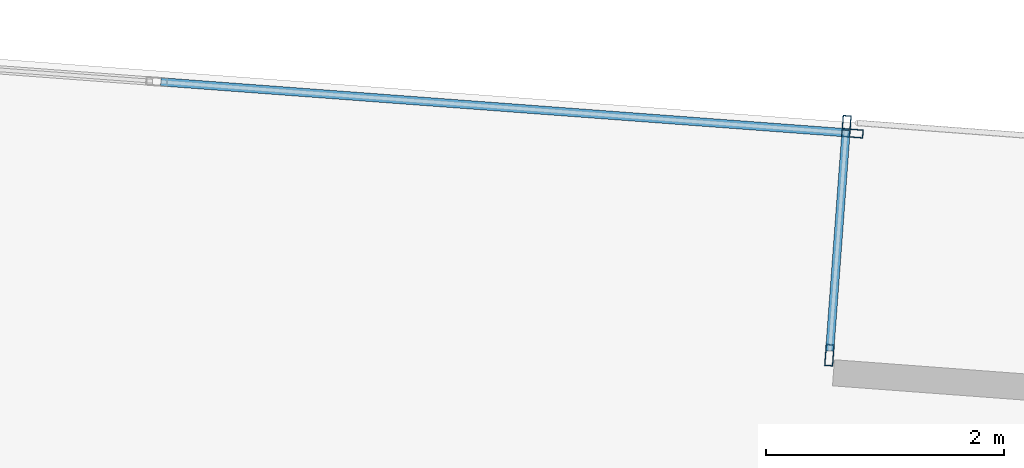
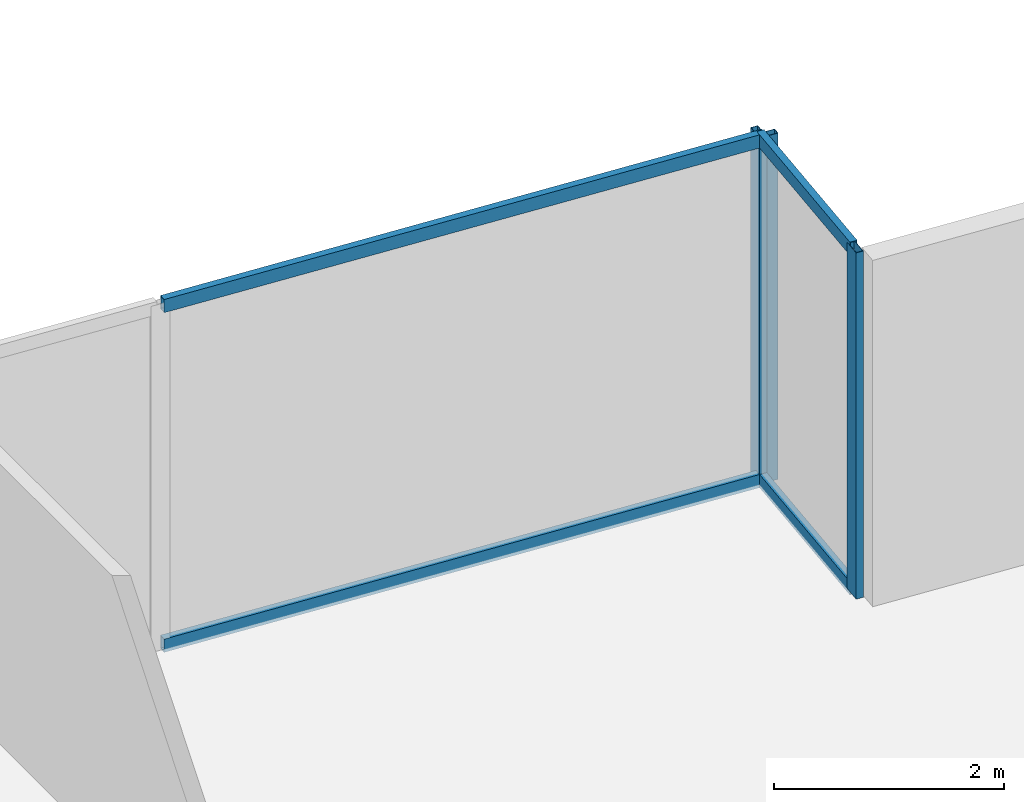
# One storey, part 20 of 30: 7 members, 2 elements without a shape of their own.
"""IFC4 building model written with IfcOpenShell, lengths in metres."""

from ifc_helpers import new_model, si_unit, direction, frame, origin, origin_2d, place, context, subcontext, project, spatial, hollow_rectangle, extrude, source, transform, mapped, material, material_profile, profile_set, type_object, type_shapes, element, aggregate, save


model = new_model("IFC4")

# Units and contexts
model_context = context("Model", 3, precision=1e-05, world=origin(), true_north=direction((0.0, 1.0)))
body_context = subcontext(model_context, "Body", "Model", "MODEL_VIEW")
ifc_project = project(units=[si_unit("LENGTHUNIT", "METRE"), si_unit("AREAUNIT", "SQUARE_METRE"), si_unit("VOLUMEUNIT", "CUBIC_METRE"), si_unit("PLANEANGLEUNIT", "RADIAN"), si_unit("MASSUNIT", "GRAM", prefix="KILO")], contexts=[model_context])

# Site, building, storey
site_placement = place(None, origin())
site = spatial("IfcSite", under=ifc_project, at=site_placement, CompositionType="ELEMENT")
building_placement = place(site_placement, origin())
building = spatial("IfcBuilding", under=site, at=building_placement, Name="Krantzveldt Concourse Tower", CompositionType="ELEMENT")
storey_placement = place(building_placement, frame((0.0, 0.0, 48.699951171875)))
storey = spatial("IfcBuildingStorey", under=building, at=storey_placement, Name="L11", CompositionType="ELEMENT", Elevation=48.699951171875)

# Curtain wall, members
ifc_material = material(Name="Anodised aluminium 6063-T6", Category="aluminium")
curtain_wall_type_1 = type_object("IfcCurtainWallType", Name="CW6", PredefinedType="USERDEFINED", material=ifc_material)
curtain_wall_1_placement = place(storey_placement, origin())
curtain_wall_1 = element("IfcCurtainWall", 1, at=curtain_wall_1_placement, inside=storey, type_object=curtain_wall_type_1, Name="CW-L11-TR13", ObjectType="UNITISED CURTAIN WALL", PredefinedType="USERDEFINED")
ifc_material_profile_1 = material_profile(ifc_material, hollow_rectangle(XDim=0.070068359375, YDim=0.179931640625, WallThickness=0.0048828125, at=origin_2d()), Name="Anodised aluminium 6063-T6", Category="aluminium")
ifc_profile_set_1 = profile_set([ifc_material_profile_1], Name="Anodised aluminium 6063-T6 - ALU-MULL 180x70x5")
member_type_1 = type_object("IfcMemberType", Name="CW-MUL-180", PredefinedType="MULLION", material=ifc_profile_set_1)
shared_shape_1 = source(origin(), body_context, "Body", "SweptSolid", [
    extrude(hollow_rectangle(XDim=0.070068359375, YDim=0.179931640625, WallThickness=0.0048828125, at=origin_2d()), origin(), (0.0, 0.0, 1.0), 3.670166015625),
])
type_shapes(member_type_1, [shared_shape_1])
member_1_placement = place(storey_placement, frame((33.827880859375, 49.9599609375, 0.0), z_axis=(0.0, 0.0, 1.0), x_axis=(-0.997250072499, 0.074110005396, 0.0)))
member_1 = element("IfcMember", 2, at=member_1_placement, type_object=member_type_1, Name="CW-TERR mullion 1", PredefinedType="MULLION", context=body_context, shape_type="MappedRepresentation", body=[
    mapped(shared_shape_1, transform((0.0, 0.0, 0.0), x_axis=(1.0, 0.0, 0.0), y_axis=(0.0, 1.0, 0.0), z_axis=(0.0, 0.0, 1.0), scale=1.0)),
])
member_2_placement = place(storey_placement, frame((33.970703125, 51.884521484375, 0.0), z_axis=(0.0, 0.0, 1.0), x_axis=(-0.997250072499, 0.074110005396, 0.0)))
member_2 = element("IfcMember", 3, at=member_2_placement, type_object=member_type_1, Name="CW-TERR mullion 2", PredefinedType="MULLION", context=body_context, shape_type="MappedRepresentation", body=[
    mapped(shared_shape_1, transform((0.0, 0.0, 0.0), x_axis=(1.0, 0.0, 0.0), y_axis=(0.0, 1.0, 0.0), z_axis=(0.0, 0.0, 1.0), scale=1.0)),
])

curtain_wall_type_2 = type_object("IfcCurtainWallType", Name="CW2", PredefinedType="USERDEFINED", material=ifc_material)
curtain_wall_2_placement = place(storey_placement, origin())
curtain_wall_2 = element("IfcCurtainWall", 4, at=curtain_wall_2_placement, inside=storey, type_object=curtain_wall_type_2, Name="CW-L11-F14", ObjectType="UNITISED CURTAIN WALL", PredefinedType="USERDEFINED")
member_3_placement = place(storey_placement, frame((34.021484375, 51.82568359375, 0.0), z_axis=(0.0, 0.0, 1.0), x_axis=(-0.074108467464, -0.997250186789, 0.0)))
member_3 = element("IfcMember", 5, at=member_3_placement, type_object=member_type_1, Name="CW-Z12 mullion 1", PredefinedType="MULLION", context=body_context, shape_type="MappedRepresentation", body=[
    mapped(shared_shape_1, transform((0.0, 0.0, 0.0), x_axis=(1.0, 0.0, 0.0), y_axis=(0.0, 1.0, 0.0), z_axis=(0.0, 0.0, 1.0), scale=1.0)),
])
ifc_material_profile_2 = material_profile(ifc_material, hollow_rectangle(XDim=0.070068359375, YDim=0.139892578125, WallThickness=0.0048828125, at=origin_2d()), Name="Anodised aluminium 6063-T6", Category="aluminium")
ifc_profile_set_2 = profile_set([ifc_material_profile_2], Name="Anodised aluminium 6063-T6 - ALU-TRAN 140x70x5")
member_type_2 = type_object("IfcMemberType", Name="CW-TRN-150", PredefinedType="USERDEFINED", material=ifc_profile_set_2)
shared_shape_2 = source(origin(), body_context, "Body", "SweptSolid", [
    extrude(hollow_rectangle(XDim=0.070068359375, YDim=0.139892578125, WallThickness=0.0048828125, at=origin_2d()), origin(), (0.0, 0.0, 1.0), 5.794921875),
])
member_4_placement = place(storey_placement, frame((33.986572265625, 51.828369140625, 0.03515625), z_axis=(-0.997250369291, 0.074106011558, 0.0), x_axis=(-0.074106011558, -0.997250369291, 0.0)))
member_4 = element("IfcMember", 6, at=member_4_placement, type_object=member_type_2, Name="CW-Z12 transom 1.1", ObjectType="TRANSOM", PredefinedType="USERDEFINED", context=body_context, shape_type="MappedRepresentation", body=[
    mapped(shared_shape_2, transform((0.0, 0.0, 0.0), x_axis=(1.0, 0.0, 0.0), y_axis=(0.0, 1.0, 0.0), z_axis=(0.0, 0.0, 1.0), scale=1.0)),
])
member_5_placement = place(storey_placement, frame((33.986572265625, 51.828369140625, 3.635009765625), z_axis=(-0.997250369291, 0.074106011558, 0.0), x_axis=(-0.074106011558, -0.997250369291, 0.0)))
member_5 = element("IfcMember", 7, at=member_5_placement, type_object=member_type_2, Name="CW-Z12 transom 1.2", ObjectType="TRANSOM", PredefinedType="USERDEFINED", context=body_context, shape_type="MappedRepresentation", body=[
    mapped(shared_shape_2, transform((0.0, 0.0, 0.0), x_axis=(1.0, 0.0, 0.0), y_axis=(0.0, 1.0, 0.0), z_axis=(0.0, 0.0, 1.0), scale=1.0)),
])
aggregate(curtain_wall_2, [member_3, member_4, member_5])

# Member
shared_shape_3 = source(origin(), body_context, "Body", "SweptSolid", [
    extrude(hollow_rectangle(XDim=0.070068359375, YDim=0.139892578125, WallThickness=0.0048828125, at=origin_2d()), origin(), (0.0, 0.0, 1.0), 1.860107421875),
])
type_shapes(member_type_2, [shared_shape_2, shared_shape_3])
member_6_placement = place(storey_placement, frame((33.830322265625, 49.994873046875, 0.03515625), z_axis=(0.074156925542, 0.997246584549, 0.0), x_axis=(-0.997246584549, 0.074156925542, 0.0)))
member_6 = element("IfcMember", 8, at=member_6_placement, type_object=member_type_2, Name="CW-TERR transom 1.1", ObjectType="TRANSOM", PredefinedType="USERDEFINED", context=body_context, shape_type="MappedRepresentation", body=[
    mapped(shared_shape_3, transform((0.0, 0.0, 0.0), x_axis=(1.0, 0.0, 0.0), y_axis=(0.0, 1.0, 0.0), z_axis=(0.0, 0.0, 1.0), scale=1.0)),
])

member_7_placement = place(storey_placement, frame((33.830322265625, 49.994873046875, 3.635009765625), z_axis=(0.074156925542, 0.997246584549, 0.0), x_axis=(-0.997246584549, 0.074156925542, 0.0)))
member_7 = element("IfcMember", 9, at=member_7_placement, type_object=member_type_2, Name="CW-TERR transom 1.2", ObjectType="TRANSOM", PredefinedType="USERDEFINED", context=body_context, shape_type="MappedRepresentation", body=[
    mapped(shared_shape_3, transform((0.0, 0.0, 0.0), x_axis=(1.0, 0.0, 0.0), y_axis=(0.0, 1.0, 0.0), z_axis=(0.0, 0.0, 1.0), scale=1.0)),
])

aggregate(curtain_wall_1, [member_1, member_2, member_6, member_7])

save(model, "model.ifc")
